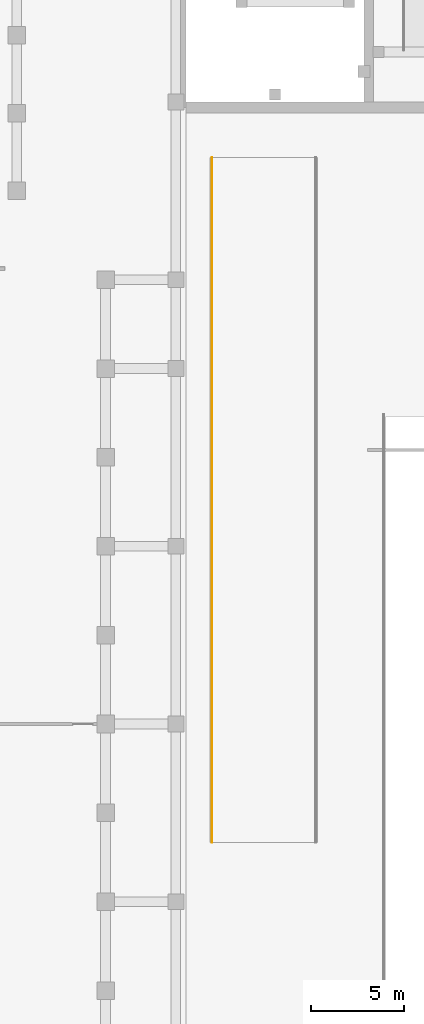
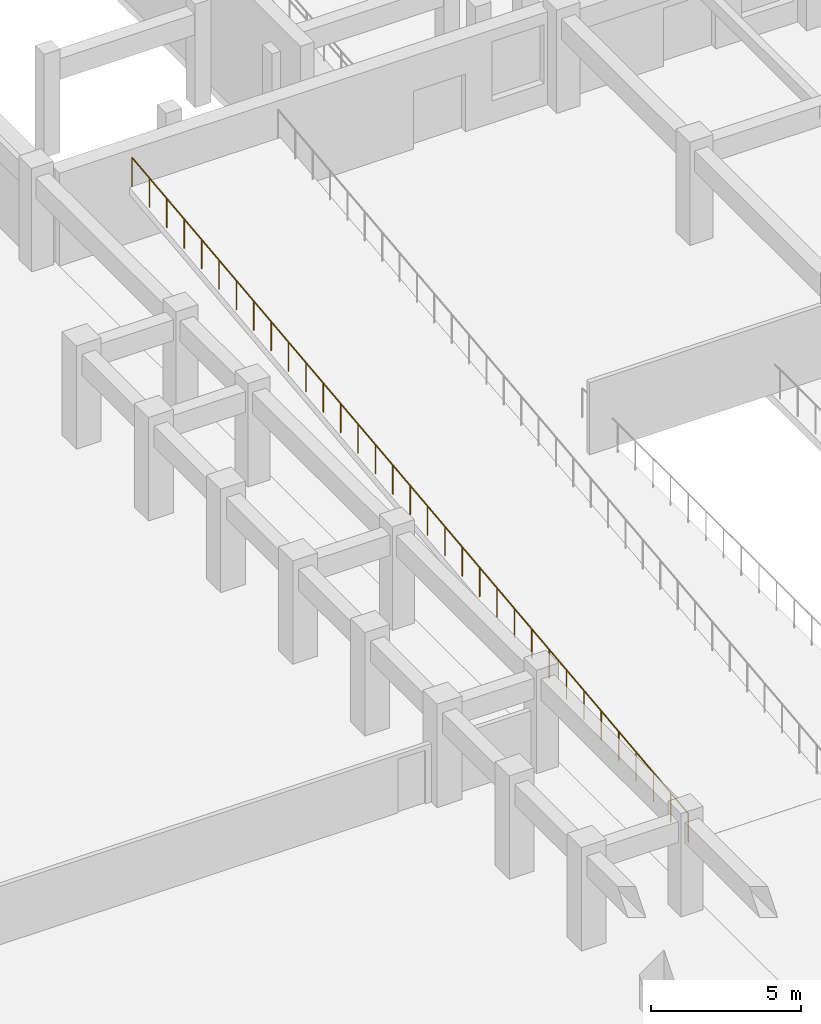
# One storey, part 28 of 39: 1 railing.
"""IFC4 building model written with IfcOpenShell, lengths in metres."""

from ifc_helpers import new_model, si_unit, direction, frame, origin, origin_2d, place, context, subcontext, project, spatial, circle, extrude, material, type_object, element, save


model = new_model("IFC4")

# Units and contexts
model_context = context("Model", 3, precision=1e-05, world=origin(), true_north=direction((0.0, 1.0)))
body_context = subcontext(model_context, "Body", "Model", "MODEL_VIEW")
ifc_project = project(units=[si_unit("LENGTHUNIT", "METRE"), si_unit("AREAUNIT", "SQUARE_METRE"), si_unit("VOLUMEUNIT", "CUBIC_METRE"), si_unit("PLANEANGLEUNIT", "RADIAN"), si_unit("MASSUNIT", "GRAM", prefix="KILO")], contexts=[model_context])

# Site, building, storey
site_placement = place(None, origin())
site = spatial("IfcSite", under=ifc_project, at=site_placement, CompositionType="ELEMENT")
building_placement = place(site_placement, origin())
building = spatial("IfcBuilding", under=site, at=building_placement, Name="Nakhvara Creek Congress Hotel", CompositionType="ELEMENT")
storey_placement = place(building_placement, frame((0.0, 0.0, -4.199951171875)))
storey = spatial("IfcBuildingStorey", under=building, at=storey_placement, Name="B1", CompositionType="ELEMENT", Elevation=-4.199951171875)

# Railing
ifc_material = material(Name="Brushed stainless steel 316L", Category="steel")
railing_type = type_object("IfcRailingType", Name="RL-GUARD-1200", PredefinedType="GUARDRAIL", material=ifc_material)
railing_placement = place(storey_placement, frame((59.0, 56.0, 0.0)))
element("IfcRailing", 1, at=railing_placement, inside=storey, type_object=railing_type, Name="Ramp Kerb Guard VR2-W", PredefinedType="GUARDRAIL", context=body_context, shape_type="SweptSolid", body=[
    extrude(circle(Radius=0.02392578125, at=origin_2d()), frame((0.0, 0.0146484375, 1.177490234375), z_axis=(0.0, 0.993619088755, 0.1127878826), x_axis=(-1.0, 0.0, 0.0)), (0.0, 0.0, 1.0), 37.208251953125),
    extrude(circle(Radius=0.02099609375, at=origin_2d()), origin(), (0.0, 0.0, 1.0), 1.1806640625),
    extrude(circle(Radius=0.02099609375, at=origin_2d()), frame((0.0, 1.15625, 0.13134765625)), (0.0, 0.0, 1.0), 1.1806640625),
    extrude(circle(Radius=0.02099609375, at=origin_2d()), frame((0.0, 2.3125, 0.262451171875)), (0.0, 0.0, 1.0), 1.1806640625),
    extrude(circle(Radius=0.02099609375, at=origin_2d()), frame((0.0, 3.46875, 0.393798828125)), (0.0, 0.0, 1.0), 1.1806640625),
    extrude(circle(Radius=0.02099609375, at=origin_2d()), frame((0.0, 4.625, 0.52490234375)), (0.0, 0.0, 1.0), 1.1806640625),
    extrude(circle(Radius=0.02099609375, at=origin_2d()), frame((0.0, 5.78125, 0.65625)), (0.0, 0.0, 1.0), 1.1806640625),
    extrude(circle(Radius=0.02099609375, at=origin_2d()), frame((0.0, 6.9375, 0.78759765625)), (0.0, 0.0, 1.0), 1.1806640625),
    extrude(circle(Radius=0.02099609375, at=origin_2d()), frame((0.0, 8.09375, 0.918701171875)), (0.0, 0.0, 1.0), 1.1806640625),
    extrude(circle(Radius=0.02099609375, at=origin_2d()), frame((0.0, 9.25, 1.050048828125)), (0.0, 0.0, 1.0), 1.1806640625),
    extrude(circle(Radius=0.02099609375, at=origin_2d()), frame((0.0, 10.40625, 1.18115234375)), (0.0, 0.0, 1.0), 1.1806640625),
    extrude(circle(Radius=0.02099609375, at=origin_2d()), frame((0.0, 11.5625, 1.3125)), (0.0, 0.0, 1.0), 1.1806640625),
    extrude(circle(Radius=0.02099609375, at=origin_2d()), frame((0.0, 12.71875, 1.44384765625)), (0.0, 0.0, 1.0), 1.1806640625),
    extrude(circle(Radius=0.02099609375, at=origin_2d()), frame((0.0, 13.875, 1.574951171875)), (0.0, 0.0, 1.0), 1.1806640625),
    extrude(circle(Radius=0.02099609375, at=origin_2d()), frame((0.0, 15.03125, 1.706298828125)), (0.0, 0.0, 1.0), 1.1806640625),
    extrude(circle(Radius=0.02099609375, at=origin_2d()), frame((0.0, 16.1875, 1.83740234375)), (0.0, 0.0, 1.0), 1.1806640625),
    extrude(circle(Radius=0.02099609375, at=origin_2d()), frame((0.0, 17.34375, 1.96875)), (0.0, 0.0, 1.0), 1.1806640625),
    extrude(circle(Radius=0.02099609375, at=origin_2d()), frame((0.0, 18.5, 2.10009765625)), (0.0, 0.0, 1.0), 1.1806640625),
    extrude(circle(Radius=0.02099609375, at=origin_2d()), frame((0.0, 19.65625, 2.231201171875)), (0.0, 0.0, 1.0), 1.1806640625),
    extrude(circle(Radius=0.02099609375, at=origin_2d()), frame((0.0, 20.8125, 2.362548828125)), (0.0, 0.0, 1.0), 1.1806640625),
    extrude(circle(Radius=0.02099609375, at=origin_2d()), frame((0.0, 21.96875, 2.49365234375)), (0.0, 0.0, 1.0), 1.1806640625),
    extrude(circle(Radius=0.02099609375, at=origin_2d()), frame((0.0, 23.125, 2.625)), (0.0, 0.0, 1.0), 1.1806640625),
    extrude(circle(Radius=0.02099609375, at=origin_2d()), frame((0.0, 24.28125, 2.756103515625)), (0.0, 0.0, 1.0), 1.1806640625),
    extrude(circle(Radius=0.02099609375, at=origin_2d()), frame((0.0, 25.4375, 2.887451171875)), (0.0, 0.0, 1.0), 1.1806640625),
    extrude(circle(Radius=0.02099609375, at=origin_2d()), frame((0.0, 26.59375, 3.018798828125)), (0.0, 0.0, 1.0), 1.1806640625),
    extrude(circle(Radius=0.02099609375, at=origin_2d()), frame((0.0, 27.75, 3.14990234375)), (0.0, 0.0, 1.0), 1.1806640625),
    extrude(circle(Radius=0.02099609375, at=origin_2d()), frame((0.0, 28.90625, 3.28125)), (0.0, 0.0, 1.0), 1.1806640625),
    extrude(circle(Radius=0.02099609375, at=origin_2d()), frame((0.0, 30.0625, 3.412353515625)), (0.0, 0.0, 1.0), 1.1806640625),
    extrude(circle(Radius=0.02099609375, at=origin_2d()), frame((0.0, 31.21875, 3.543701171875)), (0.0, 0.0, 1.0), 1.1806640625),
    extrude(circle(Radius=0.02099609375, at=origin_2d()), frame((0.0, 32.375, 3.675048828125)), (0.0, 0.0, 1.0), 1.1806640625),
    extrude(circle(Radius=0.02099609375, at=origin_2d()), frame((0.0, 33.53125, 3.80615234375)), (0.0, 0.0, 1.0), 1.1806640625),
    extrude(circle(Radius=0.02099609375, at=origin_2d()), frame((0.0, 34.6875, 3.9375)), (0.0, 0.0, 1.0), 1.1806640625),
    extrude(circle(Radius=0.02099609375, at=origin_2d()), frame((0.0, 35.84375, 4.068603515625)), (0.0, 0.0, 1.0), 1.1806640625),
    extrude(circle(Radius=0.02099609375, at=origin_2d()), frame((0.0, 37.0, 4.199951171875)), (0.0, 0.0, 1.0), 1.1806640625),
])

save(model, "model.ifc")
